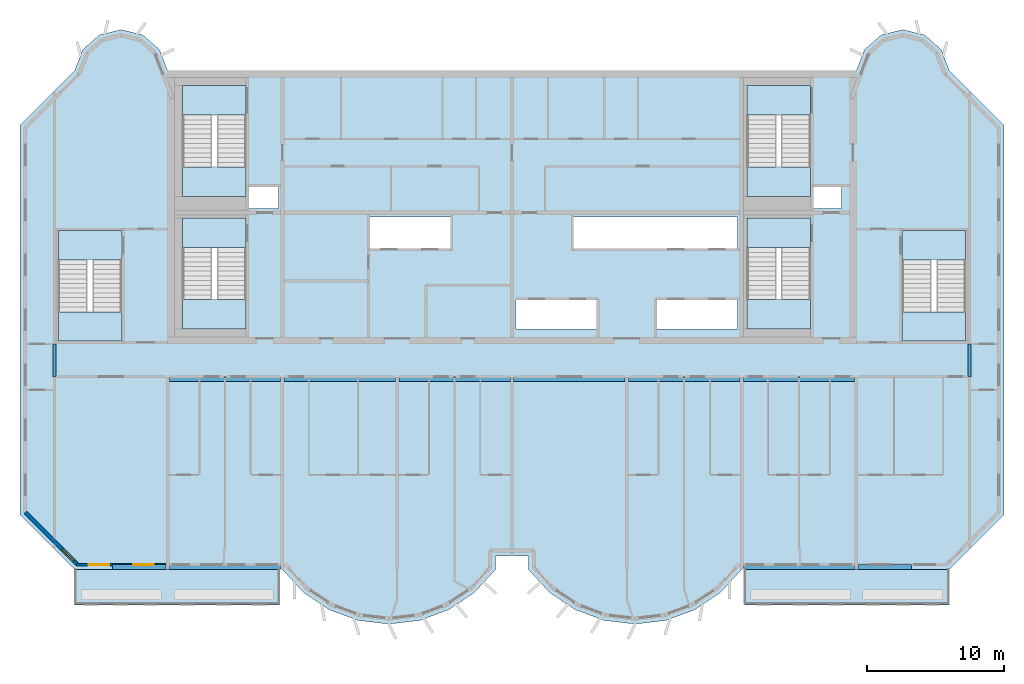
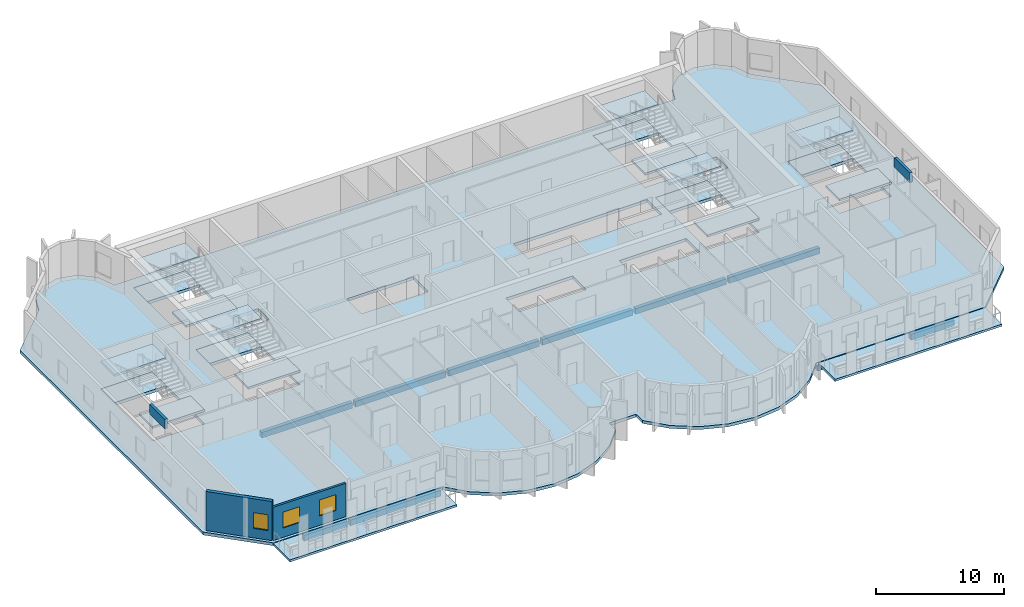
# One storey, part 1 of 12: 21 slabs, 12 beams, 3 windows, 2 walls, 3 openings, 6 elements without a shape of their own.
"""IFC4 building model written with IfcOpenShell, lengths in metres."""

from ifc_helpers import new_model, si_unit, direction, frame, frame_2d, origin, origin_2d, place, context, subcontext, project, spatial, polyline, rectangle, outline, extrude, source, transform, mapped, material, layer, layer_set, material_profile, profile_set, type_object, element, fill, aggregate, save


model = new_model("IFC4")

# Units and contexts
model_context = context("Model", 3, precision=1e-05, world=origin(), true_north=direction((0.0, 1.0)))
body_context = subcontext(model_context, "Body", "Model", "MODEL_VIEW")
ifc_project = project(units=[si_unit("LENGTHUNIT", "METRE"), si_unit("AREAUNIT", "SQUARE_METRE"), si_unit("VOLUMEUNIT", "CUBIC_METRE"), si_unit("PLANEANGLEUNIT", "RADIAN"), si_unit("MASSUNIT", "GRAM", prefix="KILO")], contexts=[model_context])

# Site, building, storey
site_placement = place(None, origin())
site = spatial("IfcSite", under=ifc_project, at=site_placement, CompositionType="ELEMENT")
building_placement = place(site_placement, origin())
building = spatial("IfcBuilding", under=site, at=building_placement, Name="Vanashikhar Sky Hotel", CompositionType="ELEMENT")
storey_placement = place(building_placement, frame((0.0, 0.0, 301.699951171875)))
storey = spatial("IfcBuildingStorey", under=building, at=storey_placement, Name="L72", CompositionType="ELEMENT", Elevation=301.699951171875)

# Beams
ifc_material_1 = material(Name="Concrete M50", Category="concrete")
ifc_material_profile_1 = material_profile(ifc_material_1, rectangle(XDim=0.25, YDim=0.89990234375, at=origin_2d()))
ifc_profile_set_1 = profile_set([ifc_material_profile_1], Name="RC 250x900 beam Concrete M50")
beam_type_1 = type_object("IfcBeamType", Name="RC 250x900 beam Concrete M50", PredefinedType="LINTEL", material=ifc_profile_set_1)
shared_shape_1 = source(origin(), body_context, "Body", "SweptSolid", [
    extrude(rectangle(XDim=0.25, YDim=0.89990234375, at=origin_2d()), origin(), (0.0, 0.0, 1.0), 2.39990234375),
])
for number, where, z_axis, x_axis, name in (
    (1, (16.925048828125, 19.60009765625, 3.27001953125), (0.0, 1.0, 0.0), (-1.0, 0.0, 0.0), "LB-L72-XW03"),
    (2, (83.875, 19.60009765625, 3.27001953125), (0.0, 1.0, 0.0), (-1.0, 0.0, 0.0), "LB-L72-XW11"),
):
    element("IfcBeam", number, at=place(storey_placement, frame(where, z_axis=z_axis, x_axis=x_axis)), inside=storey, type_object=beam_type_1, Name=name, PredefinedType="LINTEL", context=body_context, shape_type="MappedRepresentation", body=[
        mapped(shared_shape_1, transform((0.0, 0.0, 0.0), scale=1.0)),
    ])
ifc_material_profile_2 = material_profile(ifc_material_1, rectangle(XDim=0.35009765625, YDim=0.550048828125, at=origin_2d()))
ifc_profile_set_2 = profile_set([ifc_material_profile_2], Name="RC 350x550 beam Concrete M50")
beam_type_2 = type_object("IfcBeamType", Name="RC 350x550 beam Concrete M50", PredefinedType="SPANDREL", material=ifc_profile_set_2)
shared_shape_2 = source(origin(), body_context, "Body", "SweptSolid", [
    extrude(rectangle(XDim=0.35009765625, YDim=0.550048828125, at=origin_2d()), origin(), (0.0, 0.0, 1.0), 8.150146484375),
])
for number, where, z_axis, x_axis, name in (
    (3, (25.324951171875, 5.675048828125, -0.554931640625), (1.0, 0.0, 0.0), (0.0, 1.0, 0.0), "EB-L72-F01"),
    (4, (67.324951171875, 5.675048828125, -0.554931640625), (1.0, 0.0, 0.0), (0.0, 1.0, 0.0), "EB-L72-F03"),
    (5, (25.324951171875, 19.425048828125, -0.554931640625), (1.0, 0.0, 0.0), (0.0, 1.0, 0.0), "CB-L72-01"),
    (6, (50.52490234375, 19.425048828125, -0.554931640625), (1.0, 0.0, 0.0), (0.0, 1.0, 0.0), "CB-L72-04"),
    (7, (67.324951171875, 19.425048828125, -0.554931640625), (1.0, 0.0, 0.0), (0.0, 1.0, 0.0), "CB-L72-06"),
):
    element("IfcBeam", number, at=place(storey_placement, frame(where, z_axis=z_axis, x_axis=x_axis)), inside=storey, type_object=beam_type_2, Name=name, PredefinedType="SPANDREL", context=body_context, shape_type="MappedRepresentation", body=[
        mapped(shared_shape_2, transform((0.0, 0.0, 0.0), scale=1.0)),
    ])
ifc_material_profile_3 = material_profile(ifc_material_1, rectangle(XDim=0.35009765625, YDim=0.550048828125, at=origin_2d()))
ifc_profile_set_3 = profile_set([ifc_material_profile_3], Name="RC 350x550 cantilever beam Concrete M50")
beam_type_3 = type_object("IfcBeamType", Name="RC 350x550 cantilever beam Concrete M50", PredefinedType="SPANDREL", material=ifc_profile_set_3)
shared_shape_3 = source(origin(), body_context, "Body", "SweptSolid", [
    extrude(rectangle(XDim=0.35009765625, YDim=0.550048828125, at=origin_2d()), origin(), (0.0, 0.0, 1.0), 3.89990234375),
])
for number, where, z_axis, x_axis, name in (
    (8, (21.175048828125, 5.675048828125, -0.554931640625), (1.0, 0.0, 0.0), (0.0, 1.0, 0.0), "EB-L72-F02"),
    (9, (75.72509765625, 5.675048828125, -0.554931640625), (1.0, 0.0, 0.0), (0.0, 1.0, 0.0), "EB-L72-F04"),
):
    element("IfcBeam", number, at=place(storey_placement, frame(where, z_axis=z_axis, x_axis=x_axis)), inside=storey, type_object=beam_type_3, Name=name, PredefinedType="SPANDREL", context=body_context, shape_type="MappedRepresentation", body=[
        mapped(shared_shape_3, transform((0.0, 0.0, 0.0), scale=1.0)),
    ])
shared_shape_4 = source(origin(), body_context, "Body", "SweptSolid", [
    extrude(rectangle(XDim=0.35009765625, YDim=0.550048828125, at=origin_2d()), origin(), (0.0, 0.0, 1.0), 8.14990234375),
])
for number, where, z_axis, x_axis, name in (
    (10, (33.72509765625, 19.425048828125, -0.554931640625), (1.0, 0.0, 0.0), (0.0, 1.0, 0.0), "CB-L72-02"),
    (11, (42.125, 19.425048828125, -0.554931640625), (1.0, 0.0, 0.0), (0.0, 1.0, 0.0), "CB-L72-03"),
    (12, (58.925048828125, 19.425048828125, -0.554931640625), (1.0, 0.0, 0.0), (0.0, 1.0, 0.0), "CB-L72-05"),
):
    element("IfcBeam", number, at=place(storey_placement, frame(where, z_axis=z_axis, x_axis=x_axis)), inside=storey, type_object=beam_type_2, Name=name, PredefinedType="SPANDREL", context=body_context, shape_type="MappedRepresentation", body=[
        mapped(shared_shape_4, transform((0.0, 0.0, 0.0), scale=1.0)),
    ])

# Slabs
ifc_material_2 = material(Name="Concrete M40", Category="concrete")
ifc_layer_1 = layer(ifc_material_2, 0.280029296875)
ifc_layer_set_1 = layer_set([ifc_layer_1], Name="Floor slab 280 mm")
slab_type_1 = type_object("IfcSlabType", Name="Floor slab 280 mm", PredefinedType="FLOOR", material=ifc_layer_set_1)
shared_shape_5 = source(origin(), body_context, "Body", "SweptSolid", [
    extrude(outline(polyline([(49.199951171875, 5.5), (49.199951171875, 6.5), (51.60009765625, 6.5), (51.60009765625, 5.5), (53.133056640625, 3.825927734375), (55.01708984375, 2.55810546875), (57.14599609375, 1.76806640625), (59.39990234375, 1.5), (61.654052734375, 1.76806640625), (63.782958984375, 2.55810546875), (65.6669921875, 3.825927734375), (67.199951171875, 5.5), (82.39990234375, 5.5), (86.39990234375, 9.5), (86.39990234375, 38.0), (82.39990234375, 42.0), (81.81494140625, 43.527099609375), (80.587890625, 44.610107421875), (79.0, 45.0), (77.412109375, 44.610107421875), (76.18505859375, 43.527099609375), (75.60009765625, 42.0), (25.199951171875, 42.0), (24.614990234375, 43.527099609375), (23.387939453125, 44.610107421875), (21.800048828125, 45.0), (20.2119140625, 44.610107421875), (18.985107421875, 43.527099609375), (18.39990234375, 42.0), (14.39990234375, 38.0), (14.39990234375, 9.5), (18.39990234375, 5.5), (33.60009765625, 5.5), (35.133056640625, 3.825927734375), (37.01708984375, 2.55810546875), (39.14599609375, 1.76806640625), (41.39990234375, 1.5), (43.654052734375, 1.76806640625), (45.782958984375, 2.55810546875), (47.6669921875, 3.825927734375), (49.199951171875, 5.5)]), holes=[polyline([(33.300048828125, 33.60009765625), (31.050048828125, 33.60009765625), (31.050048828125, 31.89990234375), (33.300048828125, 31.89990234375), (33.300048828125, 33.60009765625)]), polyline([(39.89990234375, 31.300048828125), (39.89990234375, 29.0), (45.89990234375, 29.0), (45.89990234375, 31.300048828125), (39.89990234375, 31.300048828125)]), polyline([(50.699951171875, 25.199951171875), (50.699951171875, 23.10009765625), (56.699951171875, 23.10009765625), (56.699951171875, 25.199951171875), (50.699951171875, 25.199951171875)]), polyline([(66.89990234375, 29.0), (66.89990234375, 31.300048828125), (54.89990234375, 31.300048828125), (54.89990234375, 29.0), (66.89990234375, 29.0)]), polyline([(60.89990234375, 25.199951171875), (60.89990234375, 23.10009765625), (66.89990234375, 23.10009765625), (66.89990234375, 25.199951171875), (60.89990234375, 25.199951171875)]), polyline([(74.5, 33.60009765625), (72.35009765625, 33.60009765625), (72.35009765625, 31.89990234375), (74.5, 31.89990234375), (74.5, 33.60009765625)]), polyline([(30.949951171875, 23.10009765625), (30.949951171875, 31.199951171875), (26.300048828125, 31.199951171875), (26.300048828125, 23.10009765625), (30.949951171875, 23.10009765625)]), polyline([(72.25, 23.10009765625), (72.25, 31.199951171875), (67.60009765625, 31.199951171875), (67.60009765625, 23.10009765625), (72.25, 23.10009765625)]), polyline([(30.949951171875, 32.800048828125), (30.949951171875, 40.89990234375), (26.300048828125, 40.89990234375), (26.300048828125, 32.800048828125), (30.949951171875, 32.800048828125)]), polyline([(72.25, 32.800048828125), (72.25, 40.89990234375), (67.60009765625, 40.89990234375), (67.60009765625, 32.800048828125), (72.25, 32.800048828125)]), polyline([(83.60009765625, 22.199951171875), (83.60009765625, 30.300048828125), (78.949951171875, 30.300048828125), (78.949951171875, 22.199951171875), (83.60009765625, 22.199951171875)]), polyline([(21.85009765625, 22.199951171875), (21.85009765625, 30.300048828125), (17.199951171875, 30.300048828125), (17.199951171875, 22.199951171875), (21.85009765625, 22.199951171875)])]), origin(), (0.0, 0.0, 1.0), 0.280029296875),
])
slab_1_placement = place(storey_placement, frame((0.0, 0.0, -0.280029296875)))
element("IfcSlab", 13, at=slab_1_placement, inside=storey, type_object=slab_type_1, Name="Floor slab L72", PredefinedType="FLOOR", context=body_context, shape_type="MappedRepresentation", body=[
    mapped(shared_shape_5, transform((0.0, 0.0, 0.0), scale=1.0)),
])
ifc_layer_2 = layer(ifc_material_2, 0.199951171875)
ifc_layer_set_2 = layer_set([ifc_layer_2], Name="Balcony slab 200 mm")
slab_type_2 = type_object("IfcSlabType", Name="Balcony slab 200 mm", PredefinedType="USERDEFINED", material=ifc_layer_set_2)
shared_shape_6 = source(origin(), body_context, "Body", "SweptSolid", [
    extrude(outline(polyline([(18.39990234375, 2.89990234375), (33.39990234375, 2.89990234375), (33.39990234375, 5.5), (18.39990234375, 5.5), (18.39990234375, 2.89990234375)])), origin(), (0.0, 0.0, 1.0), 0.199951171875),
])
slab_2_placement = place(storey_placement, frame((0.0, 0.0, -0.25)))
element("IfcSlab", 14, at=slab_2_placement, inside=storey, type_object=slab_type_2, Name="Balcony slab L72 1", ObjectType="BALCONY", PredefinedType="USERDEFINED", context=body_context, shape_type="MappedRepresentation", body=[
    mapped(shared_shape_6, transform((0.0, 0.0, 0.0), scale=1.0)),
])
shared_shape_7 = source(origin(), body_context, "Body", "SweptSolid", [
    extrude(outline(polyline([(67.39990234375, 2.89990234375), (82.39990234375, 2.89990234375), (82.39990234375, 5.5), (67.39990234375, 5.5), (67.39990234375, 2.89990234375)])), origin(), (0.0, 0.0, 1.0), 0.199951171875),
])
slab_3_placement = place(storey_placement, frame((0.0, 0.0, -0.25)))
element("IfcSlab", 15, at=slab_3_placement, inside=storey, type_object=slab_type_2, Name="Balcony slab L72 2", ObjectType="BALCONY", PredefinedType="USERDEFINED", context=body_context, shape_type="MappedRepresentation", body=[
    mapped(shared_shape_7, transform((0.0, 0.0, 0.0), scale=1.0)),
])

# Stair, slabs
stair_type = type_object("IfcStairType", Name="Exit stair 2150", PredefinedType="DOUBLE_RETURN_STAIR", material=ifc_material_2)
stair_1_placement = place(storey_placement, origin())
stair_1 = element("IfcStair", 16, at=stair_1_placement, inside=storey, type_object=stair_type, Name="L72 Exit stair 1", PredefinedType="DOUBLE_RETURN_STAIR")
ifc_layer_3 = layer(ifc_material_2, 0.199951171875)
ifc_layer_set_3 = layer_set([ifc_layer_3], Name="Stair landing 200")
slab_type_3 = type_object("IfcSlabType", Name="Stair landing 200", PredefinedType="LANDING", material=ifc_layer_set_3)
shared_shape_8 = source(origin(), body_context, "Body", "SweptSolid", [
    extrude(outline(polyline([(30.949951171875, 29.050048828125), (30.949951171875, 31.199951171875), (26.300048828125, 31.199951171875), (26.300048828125, 29.050048828125), (30.949951171875, 29.050048828125)])), origin(), (0.0, 0.0, 1.0), 0.199951171875),
])
slab_4_placement = place(storey_placement, frame((0.0, 0.0, 2.466796875)))
slab_4 = element("IfcSlab", 17, at=slab_4_placement, type_object=slab_type_3, Name="ST-C1 landing 2", PredefinedType="LANDING", context=body_context, shape_type="MappedRepresentation", body=[
    mapped(shared_shape_8, transform((0.0, 0.0, 0.0), scale=1.0)),
])
shared_shape_9 = source(origin(), body_context, "Body", "SweptSolid", [
    extrude(outline(polyline([(30.949951171875, 23.10009765625), (30.949951171875, 25.25), (26.300048828125, 25.25), (26.300048828125, 23.10009765625), (30.949951171875, 23.10009765625)])), origin(), (0.0, 0.0, 1.0), 0.2001953125),
])
slab_5_placement = place(storey_placement, frame((0.0, 0.0, 1.13330078125)))
slab_5 = element("IfcSlab", 18, at=slab_5_placement, type_object=slab_type_3, Name="ST-C1 landing 1", PredefinedType="LANDING", context=body_context, shape_type="MappedRepresentation", body=[
    mapped(shared_shape_9, transform((0.0, 0.0, 0.0), scale=1.0)),
])
aggregate(stair_1, [slab_5, slab_4])

# Slab
ifc_layer_4 = layer(ifc_material_2, 0.280029296875)
ifc_layer_set_4 = layer_set([ifc_layer_4], Name="Stair floor landing 280")
slab_type_4 = type_object("IfcSlabType", Name="Stair floor landing 280", PredefinedType="LANDING", material=ifc_layer_set_4)
shared_shape_10 = source(origin(), body_context, "Body", "SweptSolid", [
    extrude(outline(polyline([(30.949951171875, 29.050048828125), (30.949951171875, 31.199951171875), (26.300048828125, 31.199951171875), (26.300048828125, 29.050048828125), (30.949951171875, 29.050048828125)])), origin(), (0.0, 0.0, 1.0), 0.280029296875),
])
slab_6_placement = place(storey_placement, frame((0.0, 0.0, -0.280029296875)))
element("IfcSlab", 19, at=slab_6_placement, inside=storey, type_object=slab_type_4, Name="Exit stair 1 floor landing", PredefinedType="LANDING", context=body_context, shape_type="MappedRepresentation", body=[
    mapped(shared_shape_10, transform((0.0, 0.0, 0.0), scale=1.0)),
])

# Stair, slabs
stair_2_placement = place(storey_placement, origin())
stair_2 = element("IfcStair", 20, at=stair_2_placement, inside=storey, type_object=stair_type, Name="L72 Exit stair 2", PredefinedType="DOUBLE_RETURN_STAIR")
shared_shape_11 = source(origin(), body_context, "Body", "SweptSolid", [
    extrude(outline(polyline([(72.25, 29.050048828125), (72.25, 31.199951171875), (67.60009765625, 31.199951171875), (67.60009765625, 29.050048828125), (72.25, 29.050048828125)])), origin(), (0.0, 0.0, 1.0), 0.199951171875),
])
slab_7_placement = place(storey_placement, frame((0.0, 0.0, 2.466796875)))
slab_7 = element("IfcSlab", 21, at=slab_7_placement, type_object=slab_type_3, Name="ST-C2 landing 2", PredefinedType="LANDING", context=body_context, shape_type="MappedRepresentation", body=[
    mapped(shared_shape_11, transform((0.0, 0.0, 0.0), scale=1.0)),
])
shared_shape_12 = source(origin(), body_context, "Body", "SweptSolid", [
    extrude(outline(polyline([(72.25, 23.10009765625), (72.25, 25.25), (67.60009765625, 25.25), (67.60009765625, 23.10009765625), (72.25, 23.10009765625)])), origin(), (0.0, 0.0, 1.0), 0.2001953125),
])
slab_8_placement = place(storey_placement, frame((0.0, 0.0, 1.13330078125)))
slab_8 = element("IfcSlab", 22, at=slab_8_placement, type_object=slab_type_3, Name="ST-C2 landing 1", PredefinedType="LANDING", context=body_context, shape_type="MappedRepresentation", body=[
    mapped(shared_shape_12, transform((0.0, 0.0, 0.0), scale=1.0)),
])
aggregate(stair_2, [slab_8, slab_7])

# Slab
shared_shape_13 = source(origin(), body_context, "Body", "SweptSolid", [
    extrude(outline(polyline([(72.25, 29.050048828125), (72.25, 31.199951171875), (67.60009765625, 31.199951171875), (67.60009765625, 29.050048828125), (72.25, 29.050048828125)])), origin(), (0.0, 0.0, 1.0), 0.280029296875),
])
slab_9_placement = place(storey_placement, frame((0.0, 0.0, -0.280029296875)))
element("IfcSlab", 23, at=slab_9_placement, inside=storey, type_object=slab_type_4, Name="Exit stair 2 floor landing", PredefinedType="LANDING", context=body_context, shape_type="MappedRepresentation", body=[
    mapped(shared_shape_13, transform((0.0, 0.0, 0.0), scale=1.0)),
])

# Stair, slabs
stair_3_placement = place(storey_placement, origin())
stair_3 = element("IfcStair", 24, at=stair_3_placement, inside=storey, type_object=stair_type, Name="L72 Exit stair 3", PredefinedType="DOUBLE_RETURN_STAIR")
shared_shape_14 = source(origin(), body_context, "Body", "SweptSolid", [
    extrude(outline(polyline([(21.85009765625, 28.14990234375), (21.85009765625, 30.300048828125), (17.199951171875, 30.300048828125), (17.199951171875, 28.14990234375), (21.85009765625, 28.14990234375)])), origin(), (0.0, 0.0, 1.0), 0.199951171875),
])
slab_10_placement = place(storey_placement, frame((0.0, 0.0, 2.466796875)))
slab_10 = element("IfcSlab", 25, at=slab_10_placement, type_object=slab_type_3, Name="ST-W landing 2", PredefinedType="LANDING", context=body_context, shape_type="MappedRepresentation", body=[
    mapped(shared_shape_14, transform((0.0, 0.0, 0.0), scale=1.0)),
])
shared_shape_15 = source(origin(), body_context, "Body", "SweptSolid", [
    extrude(outline(polyline([(21.85009765625, 22.199951171875), (21.85009765625, 24.35009765625), (17.199951171875, 24.35009765625), (17.199951171875, 22.199951171875), (21.85009765625, 22.199951171875)])), origin(), (0.0, 0.0, 1.0), 0.2001953125),
])
slab_11_placement = place(storey_placement, frame((0.0, 0.0, 1.13330078125)))
slab_11 = element("IfcSlab", 26, at=slab_11_placement, type_object=slab_type_3, Name="ST-W landing 1", PredefinedType="LANDING", context=body_context, shape_type="MappedRepresentation", body=[
    mapped(shared_shape_15, transform((0.0, 0.0, 0.0), scale=1.0)),
])
aggregate(stair_3, [slab_11, slab_10])

# Slab
shared_shape_16 = source(origin(), body_context, "Body", "SweptSolid", [
    extrude(outline(polyline([(21.85009765625, 28.14990234375), (21.85009765625, 30.300048828125), (17.199951171875, 30.300048828125), (17.199951171875, 28.14990234375), (21.85009765625, 28.14990234375)])), origin(), (0.0, 0.0, 1.0), 0.280029296875),
])
slab_12_placement = place(storey_placement, frame((0.0, 0.0, -0.280029296875)))
element("IfcSlab", 27, at=slab_12_placement, inside=storey, type_object=slab_type_4, Name="Exit stair 3 floor landing", PredefinedType="LANDING", context=body_context, shape_type="MappedRepresentation", body=[
    mapped(shared_shape_16, transform((0.0, 0.0, 0.0), scale=1.0)),
])

# Stair, slabs
stair_4_placement = place(storey_placement, origin())
stair_4 = element("IfcStair", 28, at=stair_4_placement, inside=storey, type_object=stair_type, Name="L72 Exit stair 4", PredefinedType="DOUBLE_RETURN_STAIR")
shared_shape_17 = source(origin(), body_context, "Body", "SweptSolid", [
    extrude(outline(polyline([(83.60009765625, 28.14990234375), (83.60009765625, 30.300048828125), (78.949951171875, 30.300048828125), (78.949951171875, 28.14990234375), (83.60009765625, 28.14990234375)])), origin(), (0.0, 0.0, 1.0), 0.199951171875),
])
slab_13_placement = place(storey_placement, frame((0.0, 0.0, 2.466796875)))
slab_13 = element("IfcSlab", 29, at=slab_13_placement, type_object=slab_type_3, Name="ST-E landing 2", PredefinedType="LANDING", context=body_context, shape_type="MappedRepresentation", body=[
    mapped(shared_shape_17, transform((0.0, 0.0, 0.0), scale=1.0)),
])
shared_shape_18 = source(origin(), body_context, "Body", "SweptSolid", [
    extrude(outline(polyline([(83.60009765625, 22.199951171875), (83.60009765625, 24.35009765625), (78.949951171875, 24.35009765625), (78.949951171875, 22.199951171875), (83.60009765625, 22.199951171875)])), origin(), (0.0, 0.0, 1.0), 0.2001953125),
])
slab_14_placement = place(storey_placement, frame((0.0, 0.0, 1.13330078125)))
slab_14 = element("IfcSlab", 30, at=slab_14_placement, type_object=slab_type_3, Name="ST-E landing 1", PredefinedType="LANDING", context=body_context, shape_type="MappedRepresentation", body=[
    mapped(shared_shape_18, transform((0.0, 0.0, 0.0), scale=1.0)),
])
aggregate(stair_4, [slab_14, slab_13])

# Slab
shared_shape_19 = source(origin(), body_context, "Body", "SweptSolid", [
    extrude(outline(polyline([(83.60009765625, 28.14990234375), (83.60009765625, 30.300048828125), (78.949951171875, 30.300048828125), (78.949951171875, 28.14990234375), (83.60009765625, 28.14990234375)])), origin(), (0.0, 0.0, 1.0), 0.280029296875),
])
slab_15_placement = place(storey_placement, frame((0.0, 0.0, -0.280029296875)))
element("IfcSlab", 31, at=slab_15_placement, inside=storey, type_object=slab_type_4, Name="Exit stair 4 floor landing", PredefinedType="LANDING", context=body_context, shape_type="MappedRepresentation", body=[
    mapped(shared_shape_19, transform((0.0, 0.0, 0.0), scale=1.0)),
])

# Stair, slabs
stair_5_placement = place(storey_placement, origin())
stair_5 = element("IfcStair", 32, at=stair_5_placement, inside=storey, type_object=stair_type, Name="L72 Exit stair 5", PredefinedType="DOUBLE_RETURN_STAIR")
shared_shape_20 = source(origin(), body_context, "Body", "SweptSolid", [
    extrude(outline(polyline([(30.949951171875, 38.75), (30.949951171875, 40.89990234375), (26.300048828125, 40.89990234375), (26.300048828125, 38.75), (30.949951171875, 38.75)])), origin(), (0.0, 0.0, 1.0), 0.199951171875),
])
slab_16_placement = place(storey_placement, frame((0.0, 0.0, 2.466796875)))
slab_16 = element("IfcSlab", 33, at=slab_16_placement, type_object=slab_type_3, Name="ST-C3 landing 2", PredefinedType="LANDING", context=body_context, shape_type="MappedRepresentation", body=[
    mapped(shared_shape_20, transform((0.0, 0.0, 0.0), scale=1.0)),
])
shared_shape_21 = source(origin(), body_context, "Body", "SweptSolid", [
    extrude(outline(polyline([(30.949951171875, 32.800048828125), (30.949951171875, 34.949951171875), (26.300048828125, 34.949951171875), (26.300048828125, 32.800048828125), (30.949951171875, 32.800048828125)])), origin(), (0.0, 0.0, 1.0), 0.2001953125),
])
slab_17_placement = place(storey_placement, frame((0.0, 0.0, 1.13330078125)))
slab_17 = element("IfcSlab", 34, at=slab_17_placement, type_object=slab_type_3, Name="ST-C3 landing 1", PredefinedType="LANDING", context=body_context, shape_type="MappedRepresentation", body=[
    mapped(shared_shape_21, transform((0.0, 0.0, 0.0), scale=1.0)),
])
aggregate(stair_5, [slab_17, slab_16])

# Slab
shared_shape_22 = source(origin(), body_context, "Body", "SweptSolid", [
    extrude(outline(polyline([(30.949951171875, 38.75), (30.949951171875, 40.89990234375), (26.300048828125, 40.89990234375), (26.300048828125, 38.75), (30.949951171875, 38.75)])), origin(), (0.0, 0.0, 1.0), 0.280029296875),
])
slab_18_placement = place(storey_placement, frame((0.0, 0.0, -0.280029296875)))
element("IfcSlab", 35, at=slab_18_placement, inside=storey, type_object=slab_type_4, Name="Exit stair 5 floor landing", PredefinedType="LANDING", context=body_context, shape_type="MappedRepresentation", body=[
    mapped(shared_shape_22, transform((0.0, 0.0, 0.0), scale=1.0)),
])

# Stair, slabs
stair_6_placement = place(storey_placement, origin())
stair_6 = element("IfcStair", 36, at=stair_6_placement, inside=storey, type_object=stair_type, Name="L72 Exit stair 6", PredefinedType="DOUBLE_RETURN_STAIR")
shared_shape_23 = source(origin(), body_context, "Body", "SweptSolid", [
    extrude(outline(polyline([(72.25, 38.75), (72.25, 40.89990234375), (67.60009765625, 40.89990234375), (67.60009765625, 38.75), (72.25, 38.75)])), origin(), (0.0, 0.0, 1.0), 0.199951171875),
])
slab_19_placement = place(storey_placement, frame((0.0, 0.0, 2.466796875)))
slab_19 = element("IfcSlab", 37, at=slab_19_placement, type_object=slab_type_3, Name="ST-C4 landing 2", PredefinedType="LANDING", context=body_context, shape_type="MappedRepresentation", body=[
    mapped(shared_shape_23, transform((0.0, 0.0, 0.0), scale=1.0)),
])
shared_shape_24 = source(origin(), body_context, "Body", "SweptSolid", [
    extrude(outline(polyline([(72.25, 32.800048828125), (72.25, 34.949951171875), (67.60009765625, 34.949951171875), (67.60009765625, 32.800048828125), (72.25, 32.800048828125)])), origin(), (0.0, 0.0, 1.0), 0.2001953125),
])
slab_20_placement = place(storey_placement, frame((0.0, 0.0, 1.13330078125)))
slab_20 = element("IfcSlab", 38, at=slab_20_placement, type_object=slab_type_3, Name="ST-C4 landing 1", PredefinedType="LANDING", context=body_context, shape_type="MappedRepresentation", body=[
    mapped(shared_shape_24, transform((0.0, 0.0, 0.0), scale=1.0)),
])
aggregate(stair_6, [slab_20, slab_19])

# Slab
shared_shape_25 = source(origin(), body_context, "Body", "SweptSolid", [
    extrude(outline(polyline([(72.25, 38.75), (72.25, 40.89990234375), (67.60009765625, 40.89990234375), (67.60009765625, 38.75), (72.25, 38.75)])), origin(), (0.0, 0.0, 1.0), 0.280029296875),
])
slab_21_placement = place(storey_placement, frame((0.0, 0.0, -0.280029296875)))
element("IfcSlab", 39, at=slab_21_placement, inside=storey, type_object=slab_type_4, Name="Exit stair 6 floor landing", PredefinedType="LANDING", context=body_context, shape_type="MappedRepresentation", body=[
    mapped(shared_shape_25, transform((0.0, 0.0, 0.0), scale=1.0)),
])

# Wall, openings, windows
ifc_layer_5 = layer(ifc_material_1, 0.199951171875)
ifc_layer_set_5 = layer_set([ifc_layer_5], Name="Front window wall 200")
wall_type_1 = type_object("IfcWallType", Name="Front window wall 200", PredefinedType="SOLIDWALL", material=ifc_layer_set_5)
shared_shape_26 = source(origin(), body_context, "Body", "SweptSolid", [
    extrude(rectangle(XDim=6.530029296875, YDim=0.199951171875, at=frame_2d((3.26513671875, 0.0))), origin(), (0.0, 0.0, 1.0), 3.170166015625),
])
wall_1_placement = place(storey_placement, frame((18.544921875, 5.85009765625, 0.0), z_axis=(0.0, 0.0, 1.0), x_axis=(1.0, 0.0, 0.0)))
wall_1 = element("IfcWall", 40, at=wall_1_placement, inside=storey, type_object=wall_type_1, Name="Front window wall", PredefinedType="SOLIDWALL", context=body_context, shape_type="MappedRepresentation", body=[
    mapped(shared_shape_26, transform((0.0, 0.0, 0.0), scale=1.0)),
])
shared_shape_27 = source(origin(), body_context, "Body", "SweptSolid", [
    extrude(rectangle(XDim=1.5, YDim=1.5, at=frame_2d((0.75, 0.75))), frame((0.0, 0.10986328125, 0.0), z_axis=(0.0, -1.0, 0.0), x_axis=(1.0, 0.0, 0.0)), (0.0, 0.0, 1.0), 0.219970703125),
])
opening_1_placement = place(wall_1_placement, frame((0.882568359375, 0.0, 0.89990234375)))
opening_1 = element("IfcOpeningElement", 41, at=opening_1_placement, cuts=wall_1, Name="Opening WN-1", PredefinedType="OPENING", context=body_context, shape_type="MappedRepresentation", body=[
    mapped(shared_shape_27, transform((0.0, 0.0, 0.0), scale=1.0)),
])
opening_2_placement = place(wall_1_placement, frame((4.1474609375, 0.0, 0.89990234375)))
opening_2 = element("IfcOpeningElement", 42, at=opening_2_placement, cuts=wall_1, Name="Opening WN-1", PredefinedType="OPENING", context=body_context, shape_type="MappedRepresentation", body=[
    mapped(shared_shape_27, transform((0.0, 0.0, 0.0), scale=1.0)),
])
ifc_material_3 = material(Name="Glass", Category="glass")
window_type_1 = type_object("IfcWindowType", Name="Window 1500 x 1500", PartitioningType="SINGLE_PANEL", PredefinedType="WINDOW", material=ifc_material_3)
shared_shape_28 = source(origin(), body_context, "Body", "SweptSolid", [
    extrude(rectangle(XDim=1.5, YDim=1.5, at=frame_2d((0.75, 0.75))), frame((0.0, 0.030029296875, 0.0), z_axis=(0.0, -1.0, 0.0), x_axis=(1.0, 0.0, 0.0)), (0.0, 0.0, 1.0), 0.06005859375),
])
window_1_placement = place(opening_1_placement, origin())
window_1 = element("IfcWindow", 43, at=window_1_placement, inside=storey, type_object=window_type_1, Name="Window WN-1", OverallHeight=1.5, OverallWidth=1.5, PartitioningType="SINGLE_PANEL", PredefinedType="WINDOW", context=body_context, shape_type="MappedRepresentation", body=[
    mapped(shared_shape_28, transform((0.0, 0.0, 0.0), scale=1.0)),
])
fill(opening_1, window_1)
window_2_placement = place(opening_2_placement, origin())
window_2 = element("IfcWindow", 44, at=window_2_placement, inside=storey, type_object=window_type_1, Name="Window WN-1", OverallHeight=1.5, OverallWidth=1.5, PartitioningType="SINGLE_PANEL", PredefinedType="WINDOW", context=body_context, shape_type="MappedRepresentation", body=[
    mapped(shared_shape_28, transform((0.0, 0.0, 0.0), scale=1.0)),
])
fill(opening_2, window_2)

# Wall, opening, window
ifc_layer_6 = layer(ifc_material_1, 0.300048828125)
ifc_layer_set_6 = layer_set([ifc_layer_6], Name="Lobe wall 300")
wall_type_2 = type_object("IfcWallType", Name="Lobe wall 300", PredefinedType="SOLIDWALL", material=ifc_layer_set_6)
shared_shape_29 = source(origin(), body_context, "Body", "SweptSolid", [
    extrude(rectangle(XDim=5.32568359375, YDim=0.300048828125, at=frame_2d((2.662841796875, 0.0))), origin(), (0.0, 0.0, 1.0), 3.719970703125),
])
wall_2_placement = place(storey_placement, frame((14.800048828125, 9.665771484375, 0.0), z_axis=(0.0, 0.0, 1.0), x_axis=(0.707083859269, -0.707129702361, 0.0)))
wall_2 = element("IfcWall", 45, at=wall_2_placement, inside=storey, type_object=wall_type_2, Name="Corner wall", PredefinedType="SOLIDWALL", context=body_context, shape_type="MappedRepresentation", body=[
    mapped(shared_shape_29, transform((0.0, 0.0, 0.0), scale=1.0)),
])
shared_shape_30 = source(origin(), body_context, "Body", "SweptSolid", [
    extrude(rectangle(XDim=1.199951171875, YDim=1.5, at=frame_2d((0.60009765625, 0.75))), frame((0.0, 0.16015625, 0.0), z_axis=(0.0, -1.0, 0.0), x_axis=(1.0, 0.0, 0.0)), (0.0, 0.0, 1.0), 0.320068359375),
])
opening_3_placement = place(wall_2_placement, frame((3.8154296875, 0.0, 0.89990234375)))
opening_3 = element("IfcOpeningElement", 46, at=opening_3_placement, cuts=wall_2, Name="Opening WN-3", PredefinedType="OPENING", context=body_context, shape_type="MappedRepresentation", body=[
    mapped(shared_shape_30, transform((0.0, 0.0, 0.0), scale=1.0)),
])
window_type_2 = type_object("IfcWindowType", Name="Corridor end window 1200 x 1500", PartitioningType="SINGLE_PANEL", PredefinedType="WINDOW", material=ifc_material_3)
shared_shape_31 = source(origin(), body_context, "Body", "SweptSolid", [
    extrude(rectangle(XDim=1.199951171875, YDim=1.5, at=frame_2d((0.60009765625, 0.75))), frame((0.0, 0.030029296875, 0.0), z_axis=(0.0, -1.0, 0.0), x_axis=(1.0, 0.0, 0.0)), (0.0, 0.0, 1.0), 0.06005859375),
])
window_3_placement = place(opening_3_placement, origin())
window_3 = element("IfcWindow", 47, at=window_3_placement, inside=storey, type_object=window_type_2, Name="Window WN-3", OverallHeight=1.5, OverallWidth=1.199951171875, PartitioningType="SINGLE_PANEL", PredefinedType="WINDOW", context=body_context, shape_type="MappedRepresentation", body=[
    mapped(shared_shape_31, transform((0.0, 0.0, 0.0), scale=1.0)),
])
fill(opening_3, window_3)

save(model, "model.ifc")
